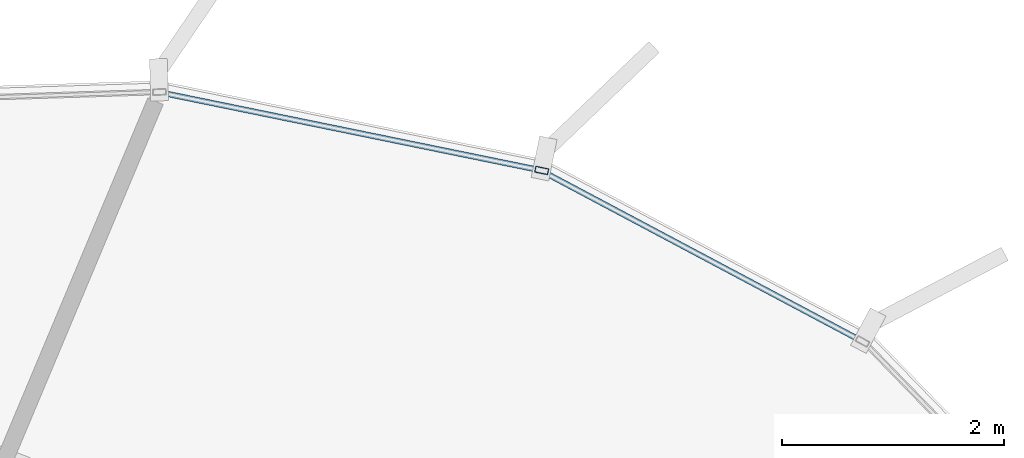
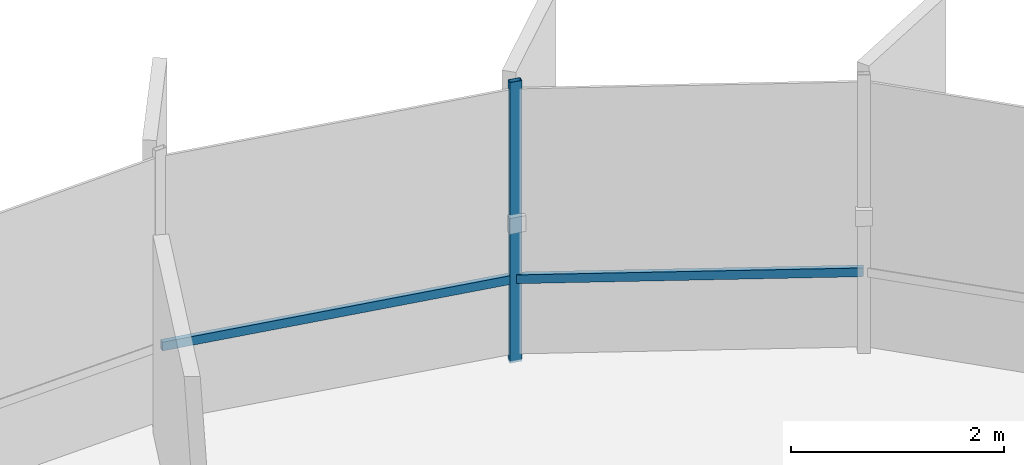
# One storey, part 27 of 35: 3 members, 1 element without a shape of its own.
"""IFC4 building model written with IfcOpenShell, lengths in metres."""

from ifc_helpers import new_model, si_unit, direction, frame, origin, origin_2d, place, context, subcontext, project, spatial, hollow_rectangle, extrude, source, transform, mapped, material, layer, layer_set, material_profile, profile_set, type_object, element, aggregate, save


model = new_model("IFC4")

# Units and contexts
model_context = context("Model", 3, precision=1e-05, world=origin(), true_north=direction((0.0, 1.0)))
body_context = subcontext(model_context, "Body", "Model", "MODEL_VIEW")
ifc_project = project(units=[si_unit("LENGTHUNIT", "METRE"), si_unit("AREAUNIT", "SQUARE_METRE"), si_unit("VOLUMEUNIT", "CUBIC_METRE"), si_unit("PLANEANGLEUNIT", "RADIAN"), si_unit("MASSUNIT", "GRAM", prefix="KILO"), si_unit("THERMODYNAMICTEMPERATUREUNIT", "KELVIN")], contexts=[model_context])

# Site, building, storey
site_placement = place(None, origin())
site = spatial("IfcSite", under=ifc_project, at=site_placement, CompositionType="ELEMENT")
building_placement = place(site_placement, origin())
building = spatial("IfcBuilding", under=site, at=building_placement, Name="Kethvar Cultural Tower", CompositionType="ELEMENT")
storey_placement = place(building_placement, frame((0.0, 0.0, 249.10009765625)))
storey = spatial("IfcBuildingStorey", under=building, at=storey_placement, Name="L65", CompositionType="ELEMENT", Elevation=249.10009765625)

# Curtain wall, members
ifc_material = material(Name="Aluminium 6063-T6", Category="aluminium")
ifc_layer = layer(ifc_material, 0.179931640625, Name="Aluminium 6063-T6", Category="aluminium")
ifc_layer_set = layer_set([ifc_layer], Name="Aluminium 6063-T6 (180 mm)")
curtain_wall_type = type_object("IfcCurtainWallType", Name="CW-SYS-05-Z56", PredefinedType="NOTDEFINED", material=ifc_layer_set)
curtain_wall_placement = place(storey_placement, origin())
curtain_wall = element("IfcCurtainWall", 1, at=curtain_wall_placement, inside=storey, type_object=curtain_wall_type, Name="L65 Curtain Wall Run 01", PredefinedType="NOTDEFINED")
ifc_material_profile_1 = material_profile(ifc_material, hollow_rectangle(XDim=0.054931640625, YDim=0.1201171875, WallThickness=0.00390625, at=origin_2d()), Name="Aluminium 6063-T6 — RHS120x55x4")
ifc_profile_set_1 = profile_set([ifc_material_profile_1], Name="Aluminium 6063-T6 — RHS120x55x4")
member_type_1 = type_object("IfcMemberType", Name="CW-SYS-05-Z56-MUL", PredefinedType="MULLION", material=ifc_profile_set_1)
shared_shape_1 = source(origin(), body_context, "Body", "SweptSolid", [
    extrude(hollow_rectangle(XDim=0.054931640625, YDim=0.1201171875, WallThickness=0.00390625, at=origin_2d()), origin(), (0.0, 0.0, 1.0), 3.2099609375),
])
member_1_placement = place(storey_placement, frame((60.365234375, 51.279296875, 0.0), z_axis=(0.0, 0.0, 1.0), x_axis=(-0.200359801024, -0.979722384216, 0.0)))
member_1 = element("IfcMember", 2, at=member_1_placement, type_object=member_type_1, Name="CW-L65-R01 Mullion 2", PredefinedType="MULLION", context=body_context, shape_type="MappedRepresentation", body=[
    mapped(shared_shape_1, transform((0.0, 0.0, 0.0), scale=1.0)),
])
ifc_material_profile_2 = material_profile(ifc_material, hollow_rectangle(XDim=0.050048828125, YDim=0.10009765625, WallThickness=0.00390625, at=origin_2d()), Name="Aluminium 6063-T6 — RHS100x50x4")
ifc_profile_set_2 = profile_set([ifc_material_profile_2], Name="Aluminium 6063-T6 — RHS100x50x4")
member_type_2 = type_object("IfcMemberType", Name="CW-SYS-05-Z56-TRN", PredefinedType="USERDEFINED", material=ifc_profile_set_2)
shared_shape_2 = source(origin(), body_context, "Body", "SweptSolid", [
    extrude(hollow_rectangle(XDim=0.050048828125, YDim=0.10009765625, WallThickness=0.00390625, at=origin_2d()), origin(), (0.0, 0.0, 1.0), 3.25341796875),
])
member_2_placement = place(storey_placement, frame((63.246337890625, 49.743896484375, 0.949951171875), z_axis=(-0.883107946396, 0.469169857314, 0.0), x_axis=(-0.469169857314, -0.883107946396, 0.0)))
member_2 = element("IfcMember", 3, at=member_2_placement, type_object=member_type_2, Name="CW-L65-R01 Transom 1", ObjectType="TRANSOM", PredefinedType="USERDEFINED", context=body_context, shape_type="MappedRepresentation", body=[
    mapped(shared_shape_2, transform((0.0, 0.0, 0.0), scale=1.0)),
])
shared_shape_3 = source(origin(), body_context, "Body", "SweptSolid", [
    extrude(hollow_rectangle(XDim=0.050048828125, YDim=0.10009765625, WallThickness=0.00390625, at=origin_2d()), origin(), (0.0, 0.0, 1.0), 3.452880859375),
])
member_3_placement = place(storey_placement, frame((60.326416015625, 51.287109375, 0.949951171875), z_axis=(-0.979717456206, 0.200383896571, 0.0), x_axis=(-0.200383896571, -0.979717456206, 0.0)))
member_3 = element("IfcMember", 4, at=member_3_placement, type_object=member_type_2, Name="CW-L65-R01 Transom 2", ObjectType="TRANSOM", PredefinedType="USERDEFINED", context=body_context, shape_type="MappedRepresentation", body=[
    mapped(shared_shape_3, transform((0.0, 0.0, 0.0), scale=1.0)),
])
aggregate(curtain_wall, [member_1, member_2, member_3])

save(model, "model.ifc")
